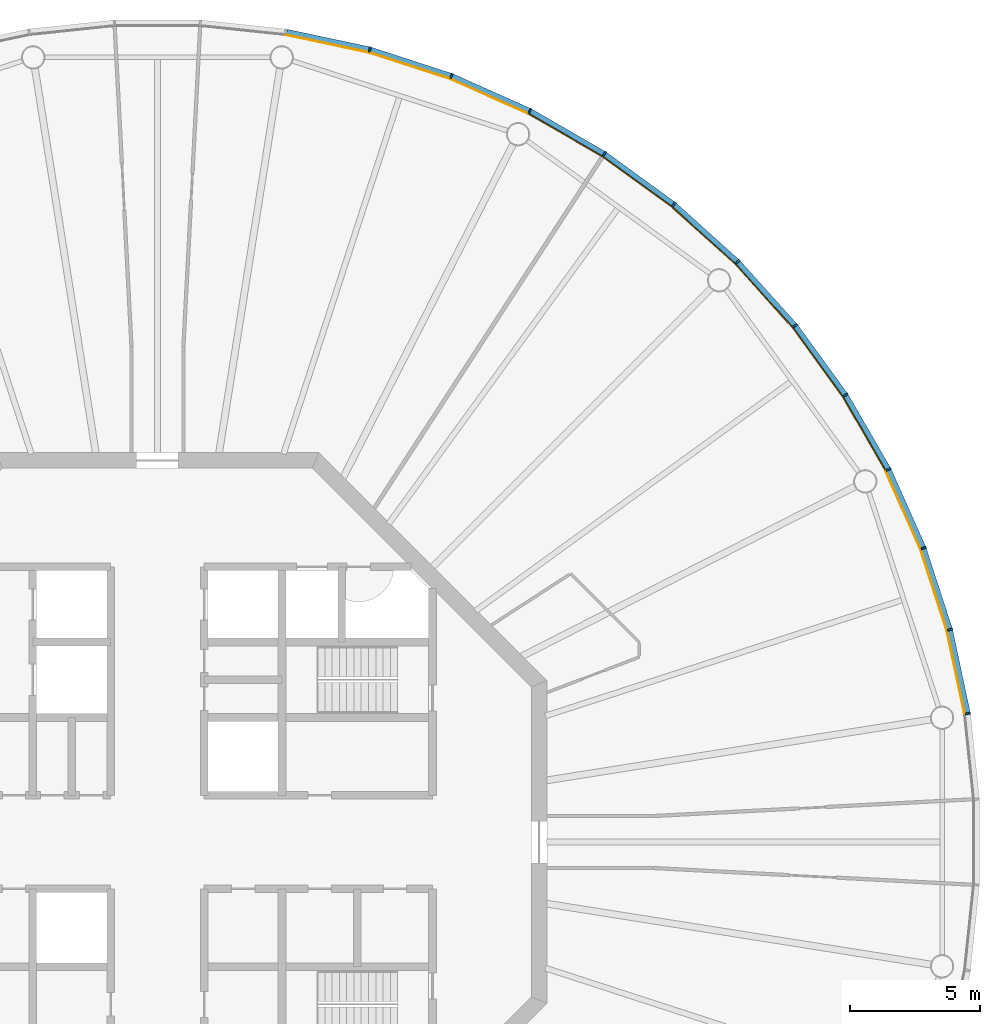
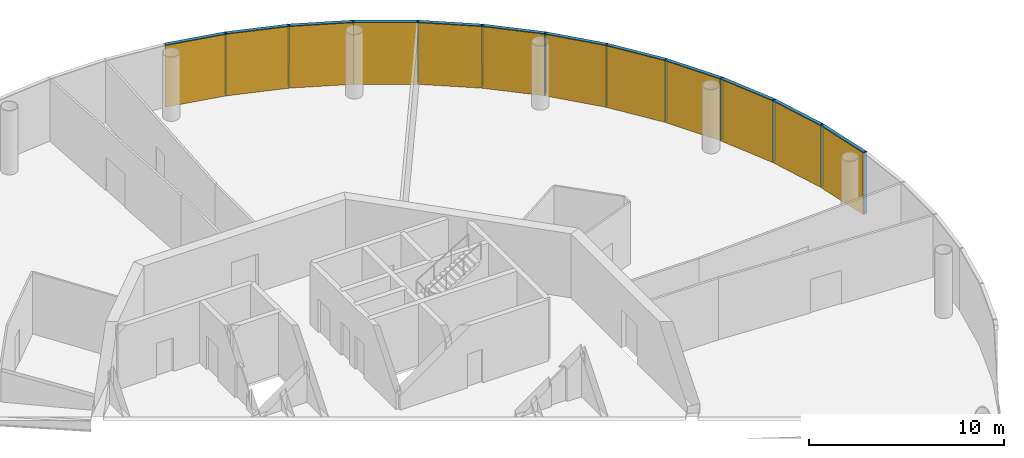
# One storey, part 12 of 13: 24 members, 4 curtain walls.
"""IFC4 building model written with IfcOpenShell, lengths in metres."""

from ifc_helpers import new_model, si_unit, direction, frame, origin, origin_2d, place, context, subcontext, project, spatial, polyline, rectangle, outline, extrude, material, layer, layer_set, material_profile, profile_set, type_object, element, aggregate, save


model = new_model("IFC4")

# Units and contexts
model_context = context("Model", 3, precision=1e-05, world=origin(), true_north=direction((0.0, 1.0)))
body_context = subcontext(model_context, "Body", "Model", "MODEL_VIEW")
ifc_project = project(units=[si_unit("LENGTHUNIT", "METRE"), si_unit("AREAUNIT", "SQUARE_METRE"), si_unit("VOLUMEUNIT", "CUBIC_METRE"), si_unit("PLANEANGLEUNIT", "RADIAN"), si_unit("MASSUNIT", "GRAM", prefix="KILO")], contexts=[model_context])

# Member
ifc_material_1 = material(Name="Anodised aluminium", Category="aluminium")
ifc_material_profile_1 = material_profile(ifc_material_1, rectangle(XDim=0.070068359375, YDim=0.205078125, at=origin_2d()), Name="Mullion 70 x 205 mm anodised aluminium")
ifc_profile_set_1 = profile_set([ifc_material_profile_1], Name="Anodised aluminium")
member_type_1 = type_object("IfcMemberType", Name="Mullion 70 x 205 mm anodised aluminium", PredefinedType="MULLION", material=ifc_profile_set_1)
site_placement = place(None, origin())
building_placement = place(site_placement, origin())
storey_placement = place(building_placement, frame((0.0, 0.0, 380.0)))
member_1_placement = place(storey_placement, frame((121.21337890625, 84.943603515625, 0.0), z_axis=(0.0, 0.0, 1.0), x_axis=(-0.15643446504, 0.987688340595, 0.0)))
member_1 = element("IfcMember", 1, at=member_1_placement, type_object=member_type_1, Name="MULLION L88-00", PredefinedType="MULLION", context=body_context, shape_type="SweptSolid", body=[
    extrude(rectangle(XDim=0.070068359375, YDim=0.205078125, at=origin_2d()), origin(), (0.0, 0.0, 1.0), 3.85009765625),
])

member_2_placement = place(storey_placement, frame((120.525634765625, 88.179443359375, 0.0), z_axis=(0.0, 0.0, 1.0), x_axis=(-0.258819045103, 0.965925826289, 0.0)))
member_2 = element("IfcMember", 2, at=member_2_placement, type_object=member_type_1, Name="MULLION L88-01", PredefinedType="MULLION", context=body_context, shape_type="SweptSolid", body=[
    extrude(rectangle(XDim=0.070068359375, YDim=0.205078125, at=origin_2d()), origin(), (0.0, 0.0, 1.0), 3.85009765625),
])

member_3_placement = place(storey_placement, frame((119.50341796875, 91.325439453125, 0.0), z_axis=(0.0, 0.0, 1.0), x_axis=(-0.358367949545, 0.933580426497, 0.0)))
member_3 = element("IfcMember", 3, at=member_3_placement, type_object=member_type_1, Name="MULLION L88-02", PredefinedType="MULLION", context=body_context, shape_type="SweptSolid", body=[
    extrude(rectangle(XDim=0.070068359375, YDim=0.205078125, at=origin_2d()), origin(), (0.0, 0.0, 1.0), 3.85009765625),
])

member_4_placement = place(storey_placement, frame((118.157958984375, 94.34716796875, 0.0), z_axis=(0.0, 0.0, 1.0), x_axis=(-0.45399049974, 0.891006524188, 0.0)))
member_4 = element("IfcMember", 4, at=member_4_placement, type_object=member_type_1, Name="MULLION L88-03", PredefinedType="MULLION", context=body_context, shape_type="SweptSolid", body=[
    extrude(rectangle(XDim=0.070068359375, YDim=0.205078125, at=origin_2d()), origin(), (0.0, 0.0, 1.0), 3.85009765625),
])

member_5_placement = place(storey_placement, frame((116.504150390625, 97.2119140625, 0.0), z_axis=(0.0, 0.0, 1.0), x_axis=(-0.544639035015, 0.838670567945, 0.0)))
member_5 = element("IfcMember", 5, at=member_5_placement, type_object=member_type_1, Name="MULLION L88-04", PredefinedType="MULLION", context=body_context, shape_type="SweptSolid", body=[
    extrude(rectangle(XDim=0.070068359375, YDim=0.205078125, at=origin_2d()), origin(), (0.0, 0.0, 1.0), 3.85009765625),
])

member_6_placement = place(storey_placement, frame((114.559814453125, 99.88818359375, 0.0), z_axis=(0.0, 0.0, 1.0), x_axis=(-0.62932039105, 0.777145961457, 0.0)))
member_6 = element("IfcMember", 6, at=member_6_placement, type_object=member_type_1, Name="MULLION L88-05", PredefinedType="MULLION", context=body_context, shape_type="SweptSolid", body=[
    extrude(rectangle(XDim=0.070068359375, YDim=0.205078125, at=origin_2d()), origin(), (0.0, 0.0, 1.0), 3.85009765625),
])

member_7_placement = place(storey_placement, frame((112.346435546875, 102.346435546875, 0.0), z_axis=(0.0, 0.0, 1.0), x_axis=(-0.707106781187, 0.707106781187, 0.0)))
member_7 = element("IfcMember", 7, at=member_7_placement, type_object=member_type_1, Name="MULLION L88-06", PredefinedType="MULLION", context=body_context, shape_type="SweptSolid", body=[
    extrude(rectangle(XDim=0.070068359375, YDim=0.205078125, at=origin_2d()), origin(), (0.0, 0.0, 1.0), 3.85009765625),
])

member_8_placement = place(storey_placement, frame((109.88818359375, 104.559814453125, 0.0), z_axis=(0.0, 0.0, 1.0), x_axis=(-0.777145961457, 0.62932039105, 0.0)))
member_8 = element("IfcMember", 8, at=member_8_placement, type_object=member_type_1, Name="MULLION L88-07", PredefinedType="MULLION", context=body_context, shape_type="SweptSolid", body=[
    extrude(rectangle(XDim=0.070068359375, YDim=0.205078125, at=origin_2d()), origin(), (0.0, 0.0, 1.0), 3.85009765625),
])

member_9_placement = place(storey_placement, frame((107.2119140625, 106.504150390625, 0.0), z_axis=(0.0, 0.0, 1.0), x_axis=(-0.838670567945, 0.544639035015, 0.0)))
member_9 = element("IfcMember", 9, at=member_9_placement, type_object=member_type_1, Name="MULLION L88-08", PredefinedType="MULLION", context=body_context, shape_type="SweptSolid", body=[
    extrude(rectangle(XDim=0.070068359375, YDim=0.205078125, at=origin_2d()), origin(), (0.0, 0.0, 1.0), 3.85009765625),
])

member_10_placement = place(storey_placement, frame((104.34716796875, 108.157958984375, 0.0), z_axis=(0.0, 0.0, 1.0), x_axis=(-0.891006524188, 0.45399049974, 0.0)))
member_10 = element("IfcMember", 10, at=member_10_placement, type_object=member_type_1, Name="MULLION L88-09", PredefinedType="MULLION", context=body_context, shape_type="SweptSolid", body=[
    extrude(rectangle(XDim=0.070068359375, YDim=0.205078125, at=origin_2d()), origin(), (0.0, 0.0, 1.0), 3.85009765625),
])

member_11_placement = place(storey_placement, frame((101.325439453125, 109.50341796875, 0.0), z_axis=(0.0, 0.0, 1.0), x_axis=(-0.933580426497, 0.358367949545, 0.0)))
member_11 = element("IfcMember", 11, at=member_11_placement, type_object=member_type_1, Name="MULLION L88-10", PredefinedType="MULLION", context=body_context, shape_type="SweptSolid", body=[
    extrude(rectangle(XDim=0.070068359375, YDim=0.205078125, at=origin_2d()), origin(), (0.0, 0.0, 1.0), 3.85009765625),
])

member_12_placement = place(storey_placement, frame((98.179443359375, 110.525634765625, 0.0), z_axis=(0.0, 0.0, 1.0), x_axis=(-0.965925826289, 0.258819045103, 0.0)))
member_12 = element("IfcMember", 12, at=member_12_placement, type_object=member_type_1, Name="MULLION L88-11", PredefinedType="MULLION", context=body_context, shape_type="SweptSolid", body=[
    extrude(rectangle(XDim=0.070068359375, YDim=0.205078125, at=origin_2d()), origin(), (0.0, 0.0, 1.0), 3.85009765625),
])

ifc_material_2 = material(Name="Anodised aluminium", Category="aluminium")
ifc_material_profile_2 = material_profile(ifc_material_2, rectangle(XDim=0.205078125, YDim=0.195068359375, at=origin_2d()), Name="Transom 195 x 205 mm anodised aluminium")
ifc_profile_set_2 = profile_set([ifc_material_profile_2], Name="Anodised aluminium")
member_type_2 = type_object("IfcMemberType", Name="Transom 195 x 205 mm anodised aluminium", PredefinedType="USERDEFINED", material=ifc_profile_set_2)
member_13_placement = place(storey_placement, frame((121.205078125, 84.983154296875, 3.75244140625), z_axis=(-0.207885898771, 0.978153082647, 0.0), x_axis=(-0.978153082647, -0.207885898771, 0.0)))
member_13 = element("IfcMember", 13, at=member_13_placement, type_object=member_type_2, Name="TRANSOM L88-00", ObjectType="TRANSOM", PredefinedType="USERDEFINED", context=body_context, shape_type="SweptSolid", body=[
    extrude(rectangle(XDim=0.205078125, YDim=0.195068359375, at=origin_2d()), origin(), (0.0, 0.0, 1.0), 3.227294921875),
])

member_14_placement = place(storey_placement, frame((120.513427734375, 88.2177734375, 3.75244140625), z_axis=(-0.309046726844, 0.951046855117, 0.0), x_axis=(-0.951046855117, -0.309046726844, 0.0)))
member_14 = element("IfcMember", 14, at=member_14_placement, type_object=member_type_2, Name="TRANSOM L88-01", ObjectType="TRANSOM", PredefinedType="USERDEFINED", context=body_context, shape_type="SweptSolid", body=[
    extrude(rectangle(XDim=0.205078125, YDim=0.195068359375, at=origin_2d()), origin(), (0.0, 0.0, 1.0), 3.22705078125),
])

member_15_placement = place(storey_placement, frame((119.4873046875, 91.3623046875, 3.75244140625), z_axis=(-0.406791170024, 0.913521178731, 0.0), x_axis=(-0.913521178731, -0.406791170024, 0.0)))
member_15 = element("IfcMember", 15, at=member_15_placement, type_object=member_type_2, Name="TRANSOM L88-02", ObjectType="TRANSOM", PredefinedType="USERDEFINED", context=body_context, shape_type="SweptSolid", body=[
    extrude(rectangle(XDim=0.205078125, YDim=0.195068359375, at=origin_2d()), origin(), (0.0, 0.0, 1.0), 3.22705078125),
])

member_16_placement = place(storey_placement, frame((118.137939453125, 94.38232421875, 3.75244140625), z_axis=(-0.500004055213, 0.866023062494, 0.0), x_axis=(-0.866023062494, -0.500004055213, 0.0)))
member_16 = element("IfcMember", 16, at=member_16_placement, type_object=member_type_2, Name="TRANSOM L88-03", ObjectType="TRANSOM", PredefinedType="USERDEFINED", context=body_context, shape_type="SweptSolid", body=[
    extrude(rectangle(XDim=0.205078125, YDim=0.195068359375, at=origin_2d()), origin(), (0.0, 0.0, 1.0), 3.22705078125),
])

member_17_placement = place(storey_placement, frame((116.48046875, 97.24462890625, 3.75244140625), z_axis=(-0.587802790201, 0.809004252048, 0.0), x_axis=(-0.809004252048, -0.587802790201, 0.0)))
member_17 = element("IfcMember", 17, at=member_17_placement, type_object=member_type_2, Name="TRANSOM L88-04", ObjectType="TRANSOM", PredefinedType="USERDEFINED", context=body_context, shape_type="SweptSolid", body=[
    extrude(rectangle(XDim=0.205078125, YDim=0.195068359375, at=origin_2d()), origin(), (0.0, 0.0, 1.0), 3.227294921875),
])

member_18_placement = place(storey_placement, frame((114.532958984375, 99.918212890625, 3.75244140625), z_axis=(-0.669144438484, 0.743132370743, 0.0), x_axis=(-0.743132370743, -0.669144438484, 0.0)))
member_18 = element("IfcMember", 18, at=member_18_placement, type_object=member_type_2, Name="TRANSOM L88-05", ObjectType="TRANSOM", PredefinedType="USERDEFINED", context=body_context, shape_type="SweptSolid", body=[
    extrude(rectangle(XDim=0.205078125, YDim=0.195068359375, at=origin_2d()), origin(), (0.0, 0.0, 1.0), 3.22705078125),
])

member_19_placement = place(storey_placement, frame((112.31640625, 102.37353515625, 3.75244140625), z_axis=(-0.743132370743, 0.669144438484, 0.0), x_axis=(-0.669144438484, -0.743132370743, 0.0)))
member_19 = element("IfcMember", 19, at=member_19_placement, type_object=member_type_2, Name="TRANSOM L88-06", ObjectType="TRANSOM", PredefinedType="USERDEFINED", context=body_context, shape_type="SweptSolid", body=[
    extrude(rectangle(XDim=0.205078125, YDim=0.195068359375, at=origin_2d()), origin(), (0.0, 0.0, 1.0), 3.22705078125),
])

member_20_placement = place(storey_placement, frame((109.85546875, 104.58349609375, 3.75244140625), z_axis=(-0.809004252048, 0.587802790201, 0.0), x_axis=(-0.587802790201, -0.809004252048, 0.0)))
member_20 = element("IfcMember", 20, at=member_20_placement, type_object=member_type_2, Name="TRANSOM L88-07", ObjectType="TRANSOM", PredefinedType="USERDEFINED", context=body_context, shape_type="SweptSolid", body=[
    extrude(rectangle(XDim=0.205078125, YDim=0.195068359375, at=origin_2d()), origin(), (0.0, 0.0, 1.0), 3.227294921875),
])

member_21_placement = place(storey_placement, frame((107.177001953125, 106.5244140625, 3.75244140625), z_axis=(-0.866023062494, 0.500004055213, 0.0), x_axis=(-0.500004055213, -0.866023062494, 0.0)))
member_21 = element("IfcMember", 21, at=member_21_placement, type_object=member_type_2, Name="TRANSOM L88-08", ObjectType="TRANSOM", PredefinedType="USERDEFINED", context=body_context, shape_type="SweptSolid", body=[
    extrude(rectangle(XDim=0.205078125, YDim=0.195068359375, at=origin_2d()), origin(), (0.0, 0.0, 1.0), 3.22705078125),
])

member_22_placement = place(storey_placement, frame((104.310302734375, 108.174560546875, 3.75244140625), z_axis=(-0.913521178731, 0.406791170024, 0.0), x_axis=(-0.406791170024, -0.913521178731, 0.0)))
member_22 = element("IfcMember", 22, at=member_22_placement, type_object=member_type_2, Name="TRANSOM L88-09", ObjectType="TRANSOM", PredefinedType="USERDEFINED", context=body_context, shape_type="SweptSolid", body=[
    extrude(rectangle(XDim=0.205078125, YDim=0.195068359375, at=origin_2d()), origin(), (0.0, 0.0, 1.0), 3.22705078125),
])

member_23_placement = place(storey_placement, frame((101.286865234375, 109.51611328125, 3.75244140625), z_axis=(-0.951046855117, 0.309046726844, 0.0), x_axis=(-0.309046726844, -0.951046855117, 0.0)))
member_23 = element("IfcMember", 23, at=member_23_placement, type_object=member_type_2, Name="TRANSOM L88-10", ObjectType="TRANSOM", PredefinedType="USERDEFINED", context=body_context, shape_type="SweptSolid", body=[
    extrude(rectangle(XDim=0.205078125, YDim=0.195068359375, at=origin_2d()), origin(), (0.0, 0.0, 1.0), 3.22705078125),
])

member_24_placement = place(storey_placement, frame((98.139892578125, 110.5341796875, 3.75244140625), z_axis=(-0.978153082647, 0.207885898771, 0.0), x_axis=(-0.207885898771, -0.978153082647, 0.0)))
member_24 = element("IfcMember", 24, at=member_24_placement, type_object=member_type_2, Name="TRANSOM L88-11", ObjectType="TRANSOM", PredefinedType="USERDEFINED", context=body_context, shape_type="SweptSolid", body=[
    extrude(rectangle(XDim=0.205078125, YDim=0.195068359375, at=origin_2d()), origin(), (0.0, 0.0, 1.0), 3.227294921875),
])

# Site, building, storey
site = spatial("IfcSite", under=ifc_project, at=site_placement, CompositionType="ELEMENT")
building = spatial("IfcBuilding", under=site, at=building_placement, Name="Entoto Ring Tower", CompositionType="ELEMENT")
storey = spatial("IfcBuildingStorey", under=building, at=storey_placement, Name="L88", CompositionType="ELEMENT", Elevation=380.0)

# Curtain wall
ifc_material_3 = material(Name="Clear low-iron glass", Category="glass")
ifc_layer = layer(ifc_material_3, 0.035888671875)
ifc_layer_set = layer_set([ifc_layer], Name="Clear low-iron glass")
curtain_wall_type = type_object("IfcCurtainWallType", Name="Curtain wall system CW6 glazing 36 mm", PredefinedType="NOTDEFINED", material=ifc_layer_set)
curtain_wall_1_placement = place(storey_placement, origin())
curtain_wall_1 = element("IfcCurtainWall", 25, at=curtain_wall_1_placement, inside=storey, type_object=curtain_wall_type, Name="CW6 L88-01", PredefinedType="NOTDEFINED", context=body_context, shape_type="SweptSolid", body=[
    extrude(outline(polyline([(121.1123046875, 84.927734375), (120.4267578125, 88.15283203125), (119.40771484375, 91.28857421875), (118.066650390625, 94.30078125), (118.03466796875, 94.284423828125), (119.3740234375, 91.275634765625), (120.391845703125, 88.1435546875), (121.07666015625, 84.922119140625), (121.1123046875, 84.927734375)])), origin(), (0.0, 0.0, 1.0), 3.85009765625),
])

aggregate(curtain_wall_1, [member_1, member_2, member_3, member_13, member_14, member_15])

curtain_wall_2_placement = place(storey_placement, origin())
curtain_wall_2 = element("IfcCurtainWall", 26, at=curtain_wall_2_placement, inside=storey, type_object=curtain_wall_type, Name="CW6 L88-02", PredefinedType="NOTDEFINED", context=body_context, shape_type="SweptSolid", body=[
    extrude(outline(polyline([(118.066650390625, 94.30078125), (116.418212890625, 97.15625), (114.47998046875, 99.823486328125), (112.27392578125, 102.27392578125), (112.248291015625, 102.248291015625), (114.4521484375, 99.801025390625), (116.387939453125, 97.136474609375), (118.03466796875, 94.284423828125), (118.066650390625, 94.30078125)])), origin(), (0.0, 0.0, 1.0), 3.85009765625),
])

aggregate(curtain_wall_2, [member_4, member_5, member_6, member_16, member_17, member_18])

curtain_wall_3_placement = place(storey_placement, origin())
curtain_wall_3 = element("IfcCurtainWall", 27, at=curtain_wall_3_placement, inside=storey, type_object=curtain_wall_type, Name="CW6 L88-03", PredefinedType="NOTDEFINED", context=body_context, shape_type="SweptSolid", body=[
    extrude(outline(polyline([(112.27392578125, 102.27392578125), (109.823486328125, 104.47998046875), (107.15625, 106.418212890625), (104.30078125, 108.066650390625), (104.284423828125, 108.03466796875), (107.136474609375, 106.387939453125), (109.801025390625, 104.4521484375), (112.248291015625, 102.248291015625), (112.27392578125, 102.27392578125)])), origin(), (0.0, 0.0, 1.0), 3.85009765625),
])

aggregate(curtain_wall_3, [member_7, member_8, member_9, member_19, member_20, member_21])

curtain_wall_4_placement = place(storey_placement, origin())
curtain_wall_4 = element("IfcCurtainWall", 28, at=curtain_wall_4_placement, inside=storey, type_object=curtain_wall_type, Name="CW6 L88-04", PredefinedType="NOTDEFINED", context=body_context, shape_type="SweptSolid", body=[
    extrude(outline(polyline([(104.30078125, 108.066650390625), (101.28857421875, 109.40771484375), (98.15283203125, 110.4267578125), (94.927734375, 111.1123046875), (94.922119140625, 111.07666015625), (98.1435546875, 110.391845703125), (101.275634765625, 109.3740234375), (104.284423828125, 108.03466796875), (104.30078125, 108.066650390625)])), origin(), (0.0, 0.0, 1.0), 3.85009765625),
])

aggregate(curtain_wall_4, [member_10, member_11, member_12, member_22, member_23, member_24])

save(model, "model.ifc")
